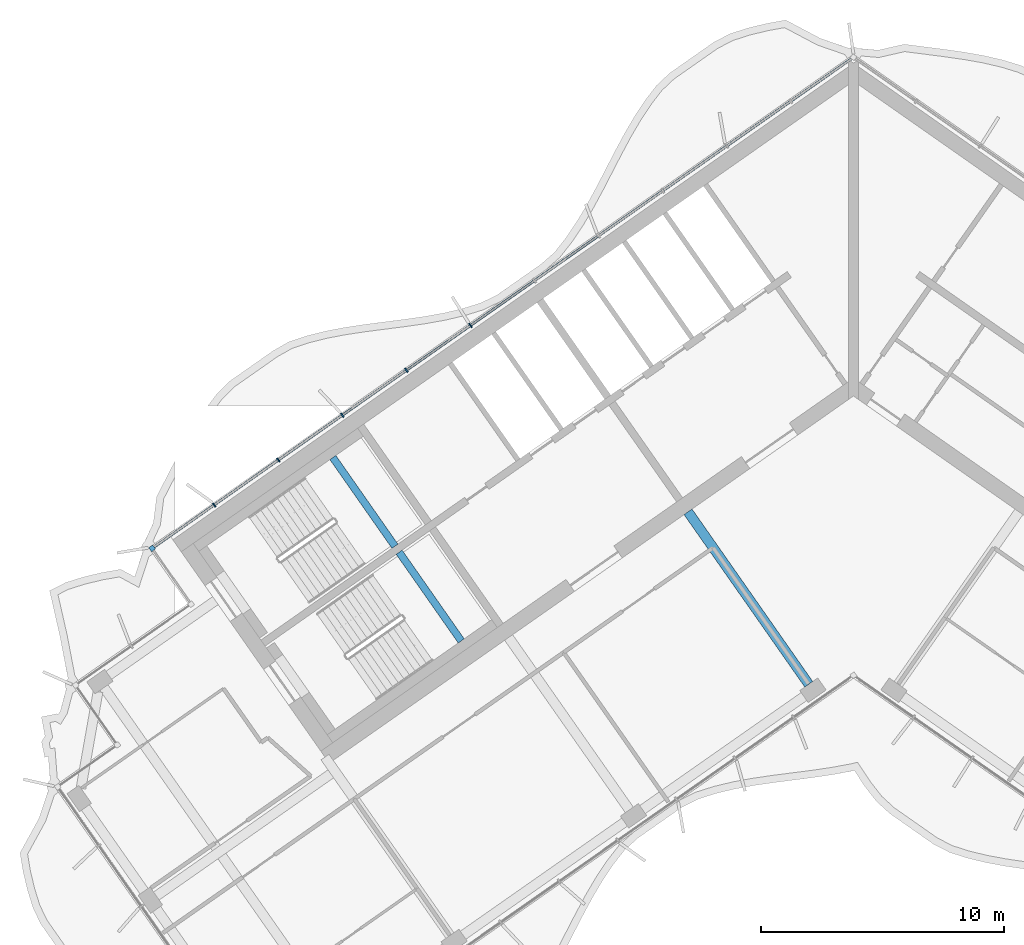
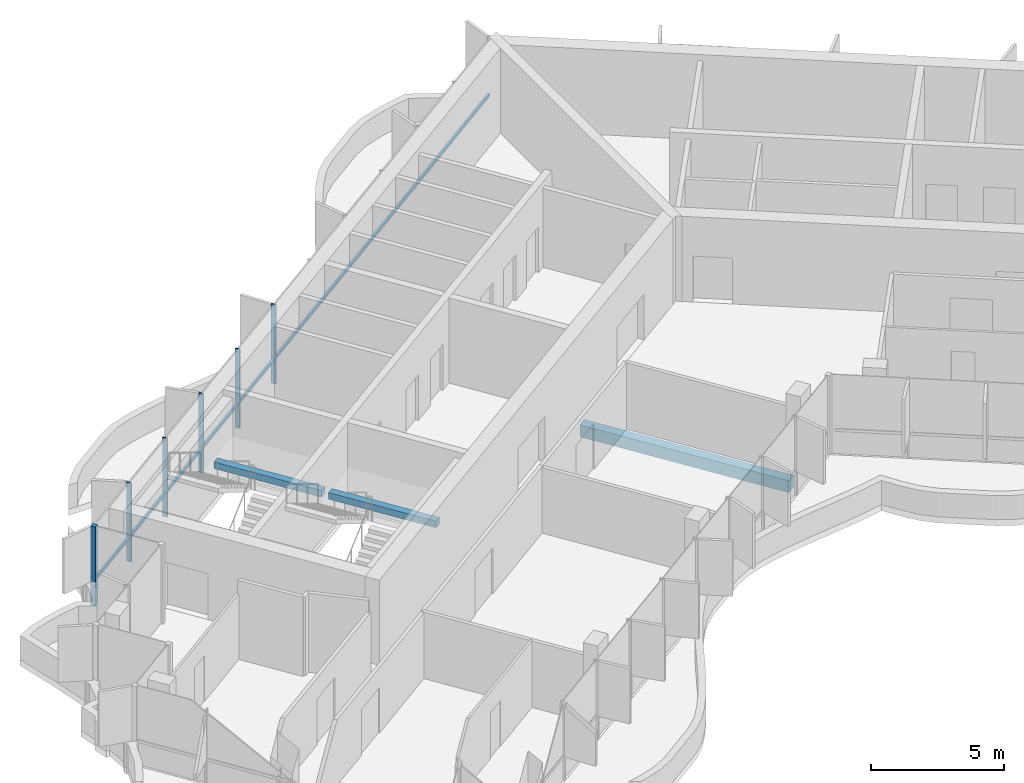
# One storey, part 3 of 18: 7 members, 3 beams, 1 element without a shape of its own.
"""IFC4 building model written with IfcOpenShell, lengths in metres."""

from ifc_helpers import new_model, si_unit, direction, frame, origin, origin_2d, place, context, subcontext, project, spatial, rectangle, extrude, material, material_profile, profile_set, type_object, element, aggregate, save


model = new_model("IFC4")

# Units and contexts
model_context = context("Model", 3, precision=1e-05, world=origin(), true_north=direction((0.0, 1.0)))
body_context = subcontext(model_context, "Body", "Model", "MODEL_VIEW")
ifc_project = project(units=[si_unit("LENGTHUNIT", "METRE"), si_unit("AREAUNIT", "SQUARE_METRE"), si_unit("VOLUMEUNIT", "CUBIC_METRE"), si_unit("PLANEANGLEUNIT", "RADIAN"), si_unit("MASSUNIT", "GRAM", prefix="KILO")], contexts=[model_context])

# Site, building, storey
site_placement = place(None, origin())
site = spatial("IfcSite", under=ifc_project, at=site_placement, CompositionType="ELEMENT")
building_placement = place(site_placement, origin())
building = spatial("IfcBuilding", under=site, at=building_placement, Name="Tel Ilan Convention Tower", CompositionType="ELEMENT")
storey_placement = place(building_placement, frame((0.0, 0.0, 252.699951171875)))
storey = spatial("IfcBuildingStorey", under=building, at=storey_placement, Name="L59", CompositionType="ELEMENT", Elevation=252.699951171875)

# Beam
ifc_material_1 = material(Name="Concrete C40/50", Category="concrete")
ifc_material_profile_1 = material_profile(ifc_material_1, rectangle(XDim=0.39990234375, YDim=0.550048828125, at=origin_2d()), Name="RC 400x550")
ifc_profile_set_1 = profile_set([ifc_material_profile_1], Name="Concrete C40/50")
beam_type_1 = type_object("IfcBeamType", Name="Beam RC 400x550 Concrete C40/50", PredefinedType="BEAM", material=ifc_profile_set_1)
beam_1_placement = place(storey_placement, frame((-1.83740234375, -13.06689453125, -0.554931640625), z_axis=(-0.573574099654, 0.819153680457, 0.0), x_axis=(-0.819153680457, -0.573574099654, 0.0)))
element("IfcBeam", 1, at=beam_1_placement, inside=storey, type_object=beam_type_1, Name="L59 beam W-W-F1-core", PredefinedType="BEAM", context=body_context, shape_type="SweptSolid", body=[
    extrude(rectangle(XDim=0.39990234375, YDim=0.550048828125, at=origin_2d()), origin(), (0.0, 0.0, 1.0), 8.64990234375),
])

# Curtain wall, members
ifc_material_2 = material(Name="Aluminium, bronze anodised", Category="aluminium")
curtain_wall_type = type_object("IfcCurtainWallType", Name="CW2 STICK CURTAIN WALL, SPANDREL PANELS", PredefinedType="NOTDEFINED", material=ifc_material_2)
curtain_wall_placement = place(storey_placement, origin())
curtain_wall = element("IfcCurtainWall", 2, at=curtain_wall_placement, inside=storey, type_object=curtain_wall_type, Name="Curtain wall CW2-46.01", PredefinedType="NOTDEFINED")
ifc_material_3 = material(Name="Aluminium, bronze anodised", Category="aluminium")
ifc_material_profile_2 = material_profile(ifc_material_3, rectangle(XDim=0.199951171875, YDim=0.199951171875, at=origin_2d()), Name="CW CORNER MULLION 200x200")
ifc_profile_set_2 = profile_set([ifc_material_profile_2], Name="Aluminium, bronze anodised")
member_type_1 = type_object("IfcMemberType", Name="CW CORNER MULLION 200x200", PredefinedType="MULLION", material=ifc_profile_set_2)
member_1_placement = place(storey_placement, frame((-28.819580078125, -7.483642578125, 0.0), z_axis=(0.0, 0.0, 1.0), x_axis=(-0.819152044289, -0.573576436351, 0.0)))
member_1 = element("IfcMember", 3, at=member_1_placement, type_object=member_type_1, Name="Corner mullion", PredefinedType="MULLION", context=body_context, shape_type="SweptSolid", body=[
    extrude(rectangle(XDim=0.199951171875, YDim=0.199951171875, at=origin_2d()), origin(), (0.0, 0.0, 1.0), 3.6201171875),
])
ifc_material_4 = material(Name="Aluminium, bronze anodised", Category="aluminium")
ifc_material_profile_3 = material_profile(ifc_material_4, rectangle(XDim=0.06005859375, YDim=0.199951171875, at=origin_2d()), Name="CW MULLION 60x200")
ifc_profile_set_3 = profile_set([ifc_material_profile_3], Name="Aluminium, bronze anodised")
member_type_2 = type_object("IfcMemberType", Name="CW MULLION 60x200", PredefinedType="MULLION", material=ifc_profile_set_3)
member_2_placement = place(storey_placement, frame((-15.73828125, 1.676025390625, 0.0), z_axis=(0.0, 0.0, 1.0), x_axis=(-0.819152044289, -0.573576436351, 0.0)))
member_2 = element("IfcMember", 4, at=member_2_placement, type_object=member_type_2, Name="Mullion", PredefinedType="MULLION", context=body_context, shape_type="SweptSolid", body=[
    extrude(rectangle(XDim=0.06005859375, YDim=0.199951171875, at=origin_2d()), origin(), (0.0, 0.0, 1.0), 3.6201171875),
])
member_3_placement = place(storey_placement, frame((-18.37109375, -0.16748046875, 0.0), z_axis=(0.0, 0.0, 1.0), x_axis=(-0.819152044289, -0.573576436351, 0.0)))
member_3 = element("IfcMember", 5, at=member_3_placement, type_object=member_type_2, Name="Mullion", PredefinedType="MULLION", context=body_context, shape_type="SweptSolid", body=[
    extrude(rectangle(XDim=0.06005859375, YDim=0.199951171875, at=origin_2d()), origin(), (0.0, 0.0, 1.0), 3.6201171875),
])
member_4_placement = place(storey_placement, frame((-21.003662109375, -2.0107421875, 0.0), z_axis=(0.0, 0.0, 1.0), x_axis=(-0.819152044289, -0.573576436351, 0.0)))
member_4 = element("IfcMember", 6, at=member_4_placement, type_object=member_type_2, Name="Mullion", PredefinedType="MULLION", context=body_context, shape_type="SweptSolid", body=[
    extrude(rectangle(XDim=0.06005859375, YDim=0.199951171875, at=origin_2d()), origin(), (0.0, 0.0, 1.0), 3.6201171875),
])
member_5_placement = place(storey_placement, frame((-23.63623046875, -3.854248046875, 0.0), z_axis=(0.0, 0.0, 1.0), x_axis=(-0.819152044289, -0.573576436351, 0.0)))
member_5 = element("IfcMember", 7, at=member_5_placement, type_object=member_type_2, Name="Mullion", PredefinedType="MULLION", context=body_context, shape_type="SweptSolid", body=[
    extrude(rectangle(XDim=0.06005859375, YDim=0.199951171875, at=origin_2d()), origin(), (0.0, 0.0, 1.0), 3.6201171875),
])
member_6_placement = place(storey_placement, frame((-26.268798828125, -5.697509765625, 0.0), z_axis=(0.0, 0.0, 1.0), x_axis=(-0.819152044289, -0.573576436351, 0.0)))
member_6 = element("IfcMember", 8, at=member_6_placement, type_object=member_type_2, Name="Mullion", PredefinedType="MULLION", context=body_context, shape_type="SweptSolid", body=[
    extrude(rectangle(XDim=0.06005859375, YDim=0.199951171875, at=origin_2d()), origin(), (0.0, 0.0, 1.0), 3.6201171875),
])
ifc_material_5 = material(Name="Aluminium, bronze anodised", Category="aluminium")
ifc_material_profile_4 = material_profile(ifc_material_5, rectangle(XDim=0.10009765625, YDim=0.1201171875, at=origin_2d()), Name="CW TRANSOM 100x120")
ifc_profile_set_4 = profile_set([ifc_material_profile_4], Name="Aluminium, bronze anodised")
member_type_3 = type_object("IfcMemberType", Name="CW TRANSOM 100x120", PredefinedType="USERDEFINED", material=ifc_profile_set_4)
member_7_placement = place(storey_placement, frame((-0.1064453125, 12.62158203125, 1.10009765625), z_axis=(-0.819150201937, -0.573579067494, 0.0), x_axis=(0.573579067494, -0.819150201937, 0.0)))
member_7 = element("IfcMember", 9, at=member_7_placement, type_object=member_type_3, Name="Transom", ObjectType="TRANSOM", PredefinedType="USERDEFINED", context=body_context, shape_type="SweptSolid", body=[
    extrude(rectangle(XDim=0.10009765625, YDim=0.1201171875, at=origin_2d()), origin(), (0.0, 0.0, 1.0), 34.9521484375),
])
aggregate(curtain_wall, [member_2, member_3, member_4, member_5, member_6, member_1, member_7])

# Beams
ifc_material_6 = material(Name="Concrete C40/50", Category="concrete")
ifc_material_profile_5 = material_profile(ifc_material_6, rectangle(XDim=0.300048828125, YDim=0.300048828125, at=origin_2d()), Name="RC 300x300")
ifc_profile_set_5 = profile_set([ifc_material_profile_5], Name="Concrete C40/50")
beam_type_2 = type_object("IfcBeamType", Name="Landing Beam RC 300x300 Concrete C40/50", PredefinedType="BEAM", material=ifc_profile_set_5)
beam_2_placement = place(storey_placement, frame((-18.841796875, -7.394287109375, 1.60009765625), z_axis=(-0.573547030514, 0.819172633691, 0.0), x_axis=(-0.819172633691, -0.573547030514, 0.0)))
element("IfcBeam", 10, at=beam_2_placement, inside=storey, type_object=beam_type_2, Name="S1 landing beam L59.1", PredefinedType="BEAM", context=body_context, shape_type="SweptSolid", body=[
    extrude(rectangle(XDim=0.300048828125, YDim=0.300048828125, at=origin_2d()), origin(), (0.0, 0.0, 1.0), 4.449951171875),
])
beam_3_placement = place(storey_placement, frame((-16.1171875, -11.285400390625, 1.60009765625), z_axis=(-0.573583844845, 0.819146856756, 0.0), x_axis=(-0.819146856756, -0.573583844845, 0.0)))
element("IfcBeam", 11, at=beam_3_placement, inside=storey, type_object=beam_type_2, Name="S2 landing beam L59.1", PredefinedType="BEAM", context=body_context, shape_type="SweptSolid", body=[
    extrude(rectangle(XDim=0.300048828125, YDim=0.300048828125, at=origin_2d()), origin(), (0.0, 0.0, 1.0), 4.4501953125),
])

save(model, "model.ifc")
